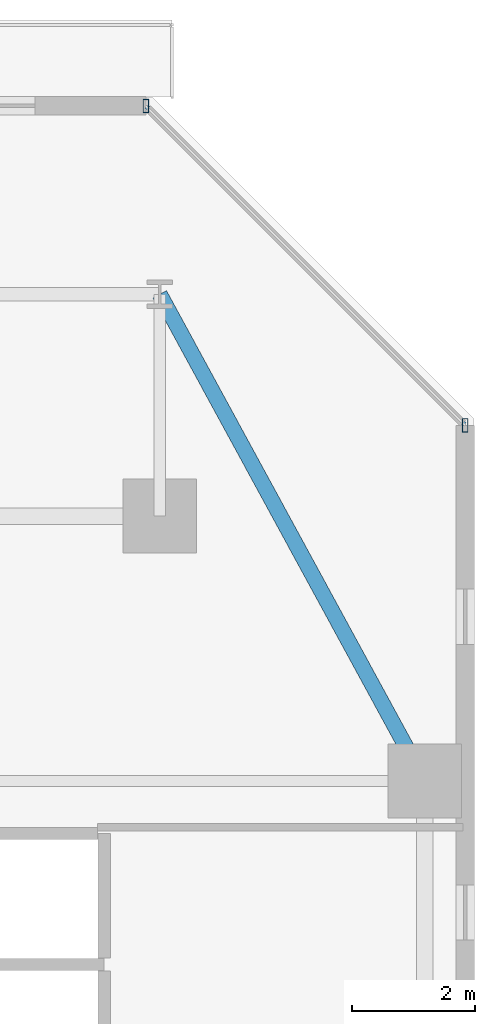
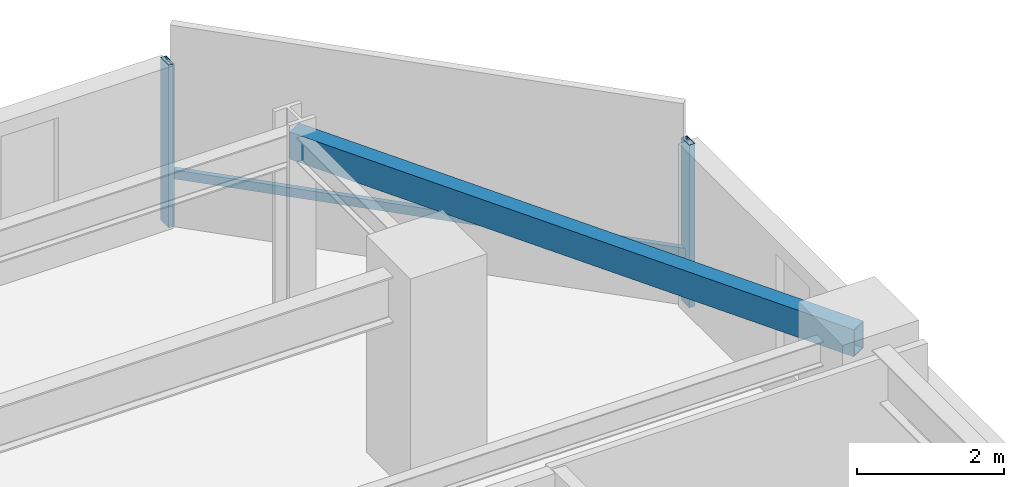
# One storey, part 14 of 31: 3 members, 1 beam, 1 element without a shape of its own.
"""IFC4 building model written with IfcOpenShell, lengths in metres."""

from ifc_helpers import new_model, si_unit, direction, frame, origin, origin_2d, place, context, subcontext, project, spatial, hollow_rectangle, extrude, material, material_profile, profile_set, type_object, element, aggregate, save


model = new_model("IFC4")

# Units and contexts
model_context = context("Model", 3, precision=1e-05, world=origin(), true_north=direction((0.0, 1.0)))
body_context = subcontext(model_context, "Body", "Model", "MODEL_VIEW")
ifc_project = project(units=[si_unit("LENGTHUNIT", "METRE"), si_unit("AREAUNIT", "SQUARE_METRE"), si_unit("VOLUMEUNIT", "CUBIC_METRE"), si_unit("PLANEANGLEUNIT", "RADIAN"), si_unit("MASSUNIT", "GRAM", prefix="KILO")], contexts=[model_context])

# Site, building, storey
site_placement = place(None, origin())
site = spatial("IfcSite", under=ifc_project, at=site_placement, CompositionType="ELEMENT")
building_placement = place(site_placement, origin())
building = spatial("IfcBuilding", under=site, at=building_placement, Name="Thornwick Lancets Civic Towers", CompositionType="ELEMENT")
storey_placement = place(building_placement, frame((0.0, 0.0, 87.300048828125)))
storey = spatial("IfcBuildingStorey", under=building, at=storey_placement, Name="L22", CompositionType="ELEMENT", Elevation=87.300048828125)

# Beam
ifc_material_1 = material(Name="Steel S355JR", Category="steel")
ifc_material_profile_1 = material_profile(ifc_material_1, hollow_rectangle(XDim=0.25, YDim=0.449951171875, WallThickness=0.01611328125, at=origin_2d()), Name="RHS 450x250x16")
ifc_profile_set_1 = profile_set([ifc_material_profile_1], Name="Steel S355JR")
beam_type = type_object("IfcBeamType", Name="BM_RING_RHS450", PredefinedType="BEAM", material=ifc_profile_set_1)
beam_placement = place(storey_placement, frame((105.800048828125, 40.0, 3.135009765625), z_axis=(-0.478081722712, 0.878315357038, 0.0), x_axis=(-0.878315357038, -0.478081722712, 0.0)))
element("IfcBeam", 1, at=beam_placement, inside=storey, type_object=beam_type, Name="BM-CHAMF-L22-B-C0", PredefinedType="BEAM", context=body_context, shape_type="SweptSolid", body=[
    extrude(hollow_rectangle(XDim=0.25, YDim=0.449951171875, WallThickness=0.01611328125, at=origin_2d()), origin(), (0.0, 0.0, 1.0), 8.994384765625),
])

# Curtain wall, members
ifc_material_2 = material(Name="Low-zone chamfered-corner unitised glass curtain wall", Category="glass")
curtain_wall_type = type_object("IfcCurtainWallType", Name="CW_SYS_03", PredefinedType="NOTDEFINED", material=ifc_material_2)
curtain_wall_placement = place(storey_placement, origin())
curtain_wall = element("IfcCurtainWall", 2, at=curtain_wall_placement, inside=storey, type_object=curtain_wall_type, Name="L22 Curtain Wall CW-L22-B-E3", PredefinedType="NOTDEFINED")
ifc_material_3 = material(Name="Thermally broken bronze aluminium S355", Category="steel")
ifc_material_profile_2 = material_profile(ifc_material_3, hollow_rectangle(XDim=0.090087890625, YDim=0.219970703125, WallThickness=0.00634765625, at=origin_2d()), Name="RHS 220x90x6.3")
ifc_profile_set_2 = profile_set([ifc_material_profile_2], Name="Thermally broken bronze aluminium S355")
member_type_1 = type_object("IfcMemberType", Name="CW_MUL_220", PredefinedType="MULLION", material=ifc_profile_set_2)
member_1_placement = place(storey_placement, frame((106.456298828125, 45.773681640625, 0.0), z_axis=(0.0, 0.0, 1.0), x_axis=(1.0, 0.0, 0.0)))
member_1 = element("IfcMember", 3, at=member_1_placement, type_object=member_type_1, Name="CW-L22-B-E3 Mullion 0", PredefinedType="MULLION", context=body_context, shape_type="SweptSolid", body=[
    extrude(hollow_rectangle(XDim=0.090087890625, YDim=0.219970703125, WallThickness=0.00634765625, at=origin_2d()), origin(), (0.0, 0.0, 1.0), 2.699951171875),
])
member_2_placement = place(storey_placement, frame((101.273681640625, 50.956298828125, 0.0), z_axis=(0.0, 0.0, 1.0), x_axis=(1.0, 0.0, 0.0)))
member_2 = element("IfcMember", 4, at=member_2_placement, type_object=member_type_1, Name="CW-L22-B-E3 Mullion 1", PredefinedType="MULLION", context=body_context, shape_type="SweptSolid", body=[
    extrude(hollow_rectangle(XDim=0.090087890625, YDim=0.219970703125, WallThickness=0.00634765625, at=origin_2d()), origin(), (0.0, 0.0, 1.0), 2.699951171875),
])
ifc_material_profile_3 = material_profile(ifc_material_3, hollow_rectangle(XDim=0.074951171875, YDim=0.14990234375, WallThickness=0.0048828125, at=origin_2d()), Name="RHS 150x75x5")
ifc_profile_set_3 = profile_set([ifc_material_profile_3], Name="Thermally broken bronze aluminium S355")
member_type_2 = type_object("IfcMemberType", Name="CW_TRN_150", PredefinedType="USERDEFINED", material=ifc_profile_set_3)
member_3_placement = place(storey_placement, frame((106.442138671875, 45.787841796875, 0.849853515625), z_axis=(-0.707106781187, 0.707106781187, 0.0), x_axis=(-0.707106781187, -0.707106781187, 0.0)))
member_3 = element("IfcMember", 5, at=member_3_placement, type_object=member_type_2, Name="CW-L22-B-E3 Transom 0", ObjectType="TRANSOM", PredefinedType="USERDEFINED", context=body_context, shape_type="SweptSolid", body=[
    extrude(hollow_rectangle(XDim=0.074951171875, YDim=0.14990234375, WallThickness=0.0048828125, at=origin_2d()), origin(), (0.0, 0.0, 1.0), 7.289306640625),
])
aggregate(curtain_wall, [member_1, member_2, member_3])

save(model, "model.ifc")
